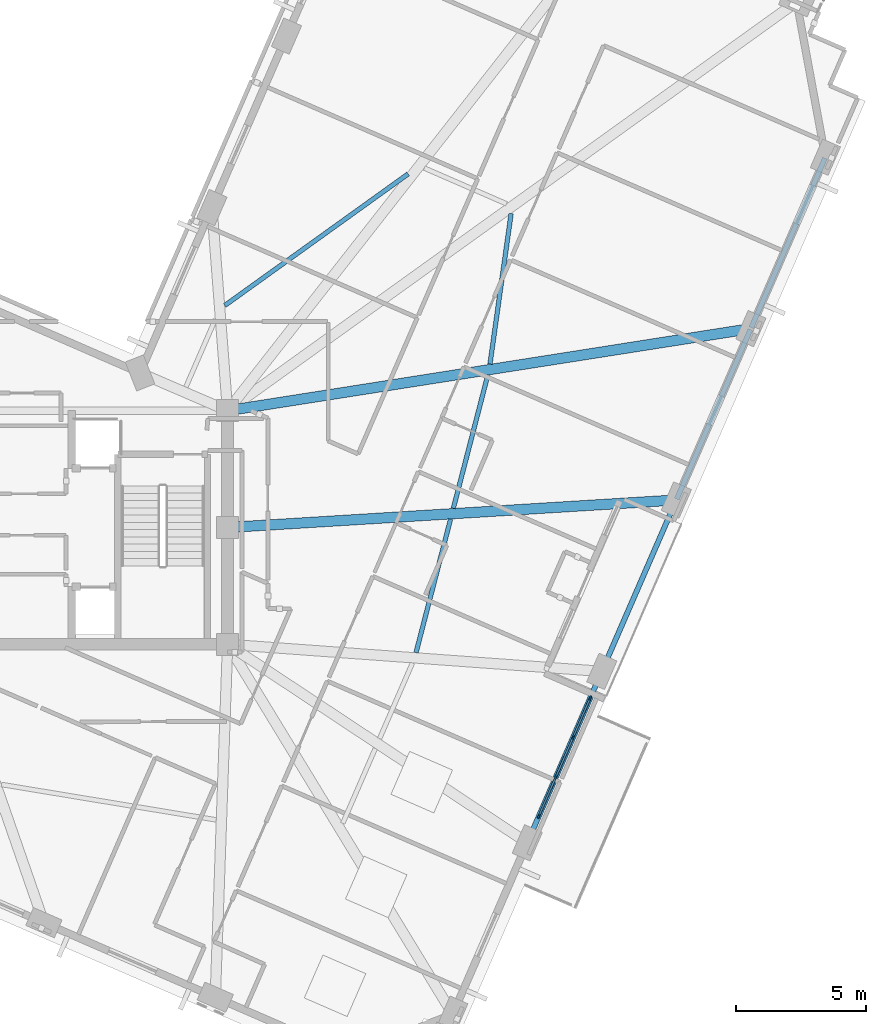
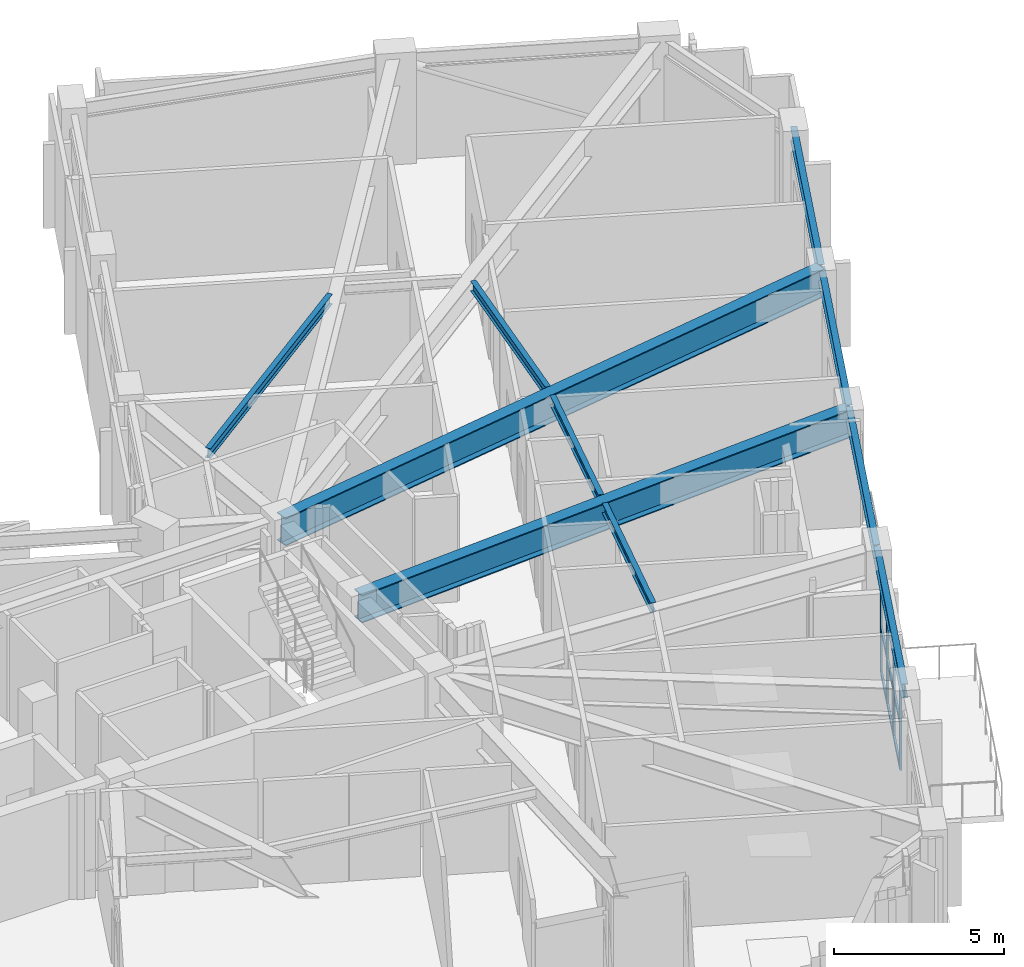
# One storey, part 2 of 12: 13 members, 10 beams, 1 element without a shape of its own.
"""IFC4 building model written with IfcOpenShell, lengths in metres."""

from ifc_helpers import new_model, si_unit, direction, frame, origin, origin_2d, place, context, subcontext, project, spatial, rectangle, i_section, extrude, material, material_profile, profile_set, type_object, element, aggregate, save


model = new_model("IFC4")

# Units and contexts
model_context = context("Model", 3, precision=1e-05, world=origin(), true_north=direction((0.0, 1.0)))
body_context = subcontext(model_context, "Body", "Model", "MODEL_VIEW")
ifc_project = project(units=[si_unit("LENGTHUNIT", "METRE"), si_unit("AREAUNIT", "SQUARE_METRE"), si_unit("VOLUMEUNIT", "CUBIC_METRE"), si_unit("PLANEANGLEUNIT", "RADIAN"), si_unit("MASSUNIT", "GRAM", prefix="KILO")], contexts=[model_context])

# Site, building, storey
site_placement = place(None, origin())
site = spatial("IfcSite", under=ifc_project, at=site_placement, CompositionType="ELEMENT")
building_placement = place(site_placement, origin())
building = spatial("IfcBuilding", under=site, at=building_placement, Name="Gaonmaruhae Medical Tower", CompositionType="ELEMENT")
storey_placement = place(building_placement, frame((0.0, 0.0, 320.60009765625)))
storey = spatial("IfcBuildingStorey", under=building, at=storey_placement, Name="L77", CompositionType="ELEMENT", Elevation=320.60009765625)

# Beams
ifc_material_1 = material(Name="Steel SM420", Category="steel")
ifc_material_profile_1 = material_profile(ifc_material_1, i_section(OverallWidth=0.39990234375, OverallDepth=1.0, WebThickness=0.02197265625, FlangeThickness=0.035888671875, at=origin_2d()), Name="BH-1000x400x22x36")
ifc_profile_set_1 = profile_set([ifc_material_profile_1], Name="Steel SM420")
beam_type_1 = type_object("IfcBeamType", Name="BG-02 Refuge Floor Primary Girder (BH-1000x400x22x36)", PredefinedType="BEAM", material=ifc_profile_set_1)
beam_1_placement = place(storey_placement, frame((35.64990234375, 12.302978515625, 3.260009765625), z_axis=(0.998125311209, 0.061203456791, 0.0), x_axis=(-0.061203456791, 0.998125311209, 0.0)))
element("IfcBeam", 1, at=beam_1_placement, inside=storey, type_object=beam_type_1, Name="L77 Radial Primary Girder S04", PredefinedType="BEAM", context=body_context, shape_type="SweptSolid", body=[
    extrude(i_section(OverallWidth=0.39990234375, OverallDepth=1.0, WebThickness=0.02197265625, FlangeThickness=0.035888671875, at=origin_2d()), origin(), (0.0, 0.0, 1.0), 17.220458984375),
])
beam_2_placement = place(storey_placement, frame((35.6494140625, 16.807861328125, 3.27978515625), z_axis=(0.987915736395, 0.15499192812, 0.0), x_axis=(-0.15499192812, 0.987915736395, 0.0)))
element("IfcBeam", 2, at=beam_2_placement, inside=storey, type_object=beam_type_1, Name="L77 Radial Primary Girder S05", PredefinedType="BEAM", context=body_context, shape_type="SweptSolid", body=[
    extrude(i_section(OverallWidth=0.39990234375, OverallDepth=1.0, WebThickness=0.02197265625, FlangeThickness=0.035888671875, at=origin_2d()), origin(), (0.0, 0.0, 1.0), 20.3056640625),
])

# Curtain wall, members
ifc_material_2 = material(Name="Anodised aluminium and Low-E double glazing", Category="aluminium")
curtain_wall_type = type_object("IfcCurtainWallType", Name="CW-S3 Spiralling Dayroom Ribbon Curtain Wall", PredefinedType="NOTDEFINED", material=ifc_material_2)
curtain_wall_placement = place(storey_placement, origin())
curtain_wall = element("IfcCurtainWall", 3, at=curtain_wall_placement, inside=storey, type_object=curtain_wall_type, Name="L77 Curtain Wall CW-L77-S02", PredefinedType="NOTDEFINED")
ifc_material_3 = material(Name="Anodised aluminium 6063-T6", Category="aluminium")
ifc_material_profile_2 = material_profile(ifc_material_3, rectangle(XDim=0.06494140625, YDim=0.179931640625, at=origin_2d()), Name="CWM-65x180")
ifc_profile_set_2 = profile_set([ifc_material_profile_2], Name="Anodised aluminium 6063-T6")
member_type_1 = type_object("IfcMemberType", Name="CWM-2 Tower Feature Curtain Wall Mullion (CWM-65x180)", PredefinedType="MULLION", material=ifc_profile_set_2)
member_1_placement = place(storey_placement, frame((49.570556640625, 5.72998046875, 0.0), z_axis=(0.0, 0.0, 1.0), x_axis=(0.917067525132, -0.398731932942, 0.0)))
member_1 = element("IfcMember", 4, at=member_1_placement, type_object=member_type_1, Name="CW-S3 mullion 1", PredefinedType="MULLION", context=body_context, shape_type="SweptSolid", body=[
    extrude(rectangle(XDim=0.06494140625, YDim=0.179931640625, at=origin_2d()), origin(), (0.0, 0.0, 1.0), 3.264892578125),
])
member_2_placement = place(storey_placement, frame((48.91552734375, 4.223876953125, 0.0), z_axis=(0.0, 0.0, 1.0), x_axis=(0.917067525132, -0.398731932942, 0.0)))
member_2 = element("IfcMember", 5, at=member_2_placement, type_object=member_type_1, Name="CW-S3 mullion 2", PredefinedType="MULLION", context=body_context, shape_type="SweptSolid", body=[
    extrude(rectangle(XDim=0.06494140625, YDim=0.179931640625, at=origin_2d()), origin(), (0.0, 0.0, 1.0), 3.264892578125),
])
member_3_placement = place(storey_placement, frame((48.24755859375, 2.687744140625, 0.0), z_axis=(0.0, 0.0, 1.0), x_axis=(0.917067525132, -0.398731932942, 0.0)))
member_3 = element("IfcMember", 6, at=member_3_placement, type_object=member_type_1, Name="CW-S3 mullion 3", PredefinedType="MULLION", context=body_context, shape_type="SweptSolid", body=[
    extrude(rectangle(XDim=0.06494140625, YDim=0.179931640625, at=origin_2d()), origin(), (0.0, 0.0, 1.0), 3.264892578125),
])
member_4_placement = place(storey_placement, frame((47.5927734375, 1.181396484375, 0.0), z_axis=(0.0, 0.0, 1.0), x_axis=(0.917067525132, -0.398731932942, 0.0)))
member_4 = element("IfcMember", 7, at=member_4_placement, type_object=member_type_1, Name="CW-S3 mullion 4", PredefinedType="MULLION", context=body_context, shape_type="SweptSolid", body=[
    extrude(rectangle(XDim=0.06494140625, YDim=0.179931640625, at=origin_2d()), origin(), (0.0, 0.0, 1.0), 3.264892578125),
])
ifc_material_profile_3 = material_profile(ifc_material_3, rectangle(XDim=0.06494140625, YDim=0.139892578125, at=origin_2d()), Name="CWT-65x140")
ifc_profile_set_3 = profile_set([ifc_material_profile_3], Name="Anodised aluminium 6063-T6")
member_type_2 = type_object("IfcMemberType", Name="CWT-2 Tower Feature Curtain Wall Transom (CWT-65x140)", PredefinedType="USERDEFINED", material=ifc_profile_set_3)
member_5_placement = place(storey_placement, frame((49.557373046875, 5.7001953125, 0.032470703125), z_axis=(-0.398714791977, -0.917074977665, 0.0), x_axis=(0.917074977665, -0.398714791977, 0.0)))
member_5 = element("IfcMember", 8, at=member_5_placement, type_object=member_type_2, Name="CW-S3 transom 1.1", ObjectType="TRANSOM", PredefinedType="USERDEFINED", context=body_context, shape_type="SweptSolid", body=[
    extrude(rectangle(XDim=0.06494140625, YDim=0.139892578125, at=origin_2d()), origin(), (0.0, 0.0, 1.0), 1.577392578125),
])
member_6_placement = place(storey_placement, frame((49.557373046875, 5.7001953125, 1.63232421875), z_axis=(-0.398714791977, -0.917074977665, 0.0), x_axis=(0.917074977665, -0.398714791977, 0.0)))
member_6 = element("IfcMember", 9, at=member_6_placement, type_object=member_type_2, Name="CW-S3 transom 1.2", ObjectType="TRANSOM", PredefinedType="USERDEFINED", context=body_context, shape_type="SweptSolid", body=[
    extrude(rectangle(XDim=0.06494140625, YDim=0.139892578125, at=origin_2d()), origin(), (0.0, 0.0, 1.0), 1.577392578125),
])
member_7_placement = place(storey_placement, frame((49.557373046875, 5.7001953125, 3.232421875), z_axis=(-0.398714791977, -0.917074977665, 0.0), x_axis=(0.917074977665, -0.398714791977, 0.0)))
member_7 = element("IfcMember", 10, at=member_7_placement, type_object=member_type_2, Name="CW-S3 transom 1.3", ObjectType="TRANSOM", PredefinedType="USERDEFINED", context=body_context, shape_type="SweptSolid", body=[
    extrude(rectangle(XDim=0.06494140625, YDim=0.139892578125, at=origin_2d()), origin(), (0.0, 0.0, 1.0), 1.577392578125),
])
member_8_placement = place(storey_placement, frame((48.902587890625, 4.194091796875, 0.032470703125), z_axis=(-0.398654028301, -0.917101393369, 0.0), x_axis=(0.917101393369, -0.398654028301, 0.0)))
member_8 = element("IfcMember", 11, at=member_8_placement, type_object=member_type_2, Name="CW-S3 transom 2.1", ObjectType="TRANSOM", PredefinedType="USERDEFINED", context=body_context, shape_type="SweptSolid", body=[
    extrude(rectangle(XDim=0.06494140625, YDim=0.139892578125, at=origin_2d()), origin(), (0.0, 0.0, 1.0), 1.610107421875),
])
member_9_placement = place(storey_placement, frame((48.902587890625, 4.194091796875, 1.63232421875), z_axis=(-0.398654028301, -0.917101393369, 0.0), x_axis=(0.917101393369, -0.398654028301, 0.0)))
member_9 = element("IfcMember", 12, at=member_9_placement, type_object=member_type_2, Name="CW-S3 transom 2.2", ObjectType="TRANSOM", PredefinedType="USERDEFINED", context=body_context, shape_type="SweptSolid", body=[
    extrude(rectangle(XDim=0.06494140625, YDim=0.139892578125, at=origin_2d()), origin(), (0.0, 0.0, 1.0), 1.610107421875),
])
member_10_placement = place(storey_placement, frame((48.902587890625, 4.194091796875, 3.232421875), z_axis=(-0.398654028301, -0.917101393369, 0.0), x_axis=(0.917101393369, -0.398654028301, 0.0)))
member_10 = element("IfcMember", 13, at=member_10_placement, type_object=member_type_2, Name="CW-S3 transom 2.3", ObjectType="TRANSOM", PredefinedType="USERDEFINED", context=body_context, shape_type="SweptSolid", body=[
    extrude(rectangle(XDim=0.06494140625, YDim=0.139892578125, at=origin_2d()), origin(), (0.0, 0.0, 1.0), 1.610107421875),
])
member_11_placement = place(storey_placement, frame((48.234619140625, 2.657958984375, 0.032470703125), z_axis=(-0.398714791977, -0.917074977665, 0.0), x_axis=(0.917074977665, -0.398714791977, 0.0)))
member_11 = element("IfcMember", 14, at=member_11_placement, type_object=member_type_2, Name="CW-S3 transom 3.1", ObjectType="TRANSOM", PredefinedType="USERDEFINED", context=body_context, shape_type="SweptSolid", body=[
    extrude(rectangle(XDim=0.06494140625, YDim=0.139892578125, at=origin_2d()), origin(), (0.0, 0.0, 1.0), 1.577392578125),
])
member_12_placement = place(storey_placement, frame((48.234619140625, 2.657958984375, 1.63232421875), z_axis=(-0.398714791977, -0.917074977665, 0.0), x_axis=(0.917074977665, -0.398714791977, 0.0)))
member_12 = element("IfcMember", 15, at=member_12_placement, type_object=member_type_2, Name="CW-S3 transom 3.2", ObjectType="TRANSOM", PredefinedType="USERDEFINED", context=body_context, shape_type="SweptSolid", body=[
    extrude(rectangle(XDim=0.06494140625, YDim=0.139892578125, at=origin_2d()), origin(), (0.0, 0.0, 1.0), 1.577392578125),
])
member_13_placement = place(storey_placement, frame((48.234619140625, 2.657958984375, 3.232421875), z_axis=(-0.398714791977, -0.917074977665, 0.0), x_axis=(0.917074977665, -0.398714791977, 0.0)))
member_13 = element("IfcMember", 16, at=member_13_placement, type_object=member_type_2, Name="CW-S3 transom 3.3", ObjectType="TRANSOM", PredefinedType="USERDEFINED", context=body_context, shape_type="SweptSolid", body=[
    extrude(rectangle(XDim=0.06494140625, YDim=0.139892578125, at=origin_2d()), origin(), (0.0, 0.0, 1.0), 1.577392578125),
])
aggregate(curtain_wall, [member_1, member_2, member_3, member_4, member_5, member_6, member_7, member_8, member_9, member_10, member_11, member_12, member_13])

# Beams
ifc_material_4 = material(Name="Steel SM355", Category="steel")
ifc_material_profile_4 = material_profile(ifc_material_4, i_section(OverallWidth=0.175048828125, OverallDepth=0.35009765625, WebThickness=0.007080078125, FlangeThickness=0.010986328125, FilletRadius=0.012939453125, at=origin_2d()), Name="H-350x175x7x11")
ifc_profile_set_4 = profile_set([ifc_material_profile_4], Name="Steel SM355")
beam_type_2 = type_object("IfcBeamType", Name="FJ-02 Upper Zone Ward Floor Joist (H-350x175x7x11)", PredefinedType="JOIST", material=ifc_profile_set_4)
beam_3_placement = place(storey_placement, frame((42.86083984375, 7.481201171875, 3.60498046875), z_axis=(0.250373159945, 0.968149410359, 0.0), x_axis=(-0.968149410359, 0.250373159945, 0.0)))
element("IfcBeam", 17, at=beam_3_placement, inside=storey, type_object=beam_type_2, Name="L77 Secondary Floor Joist FJ03", PredefinedType="JOIST", context=body_context, shape_type="SweptSolid", body=[
    extrude(i_section(OverallWidth=0.175048828125, OverallDepth=0.35009765625, WebThickness=0.007080078125, FlangeThickness=0.010986328125, FilletRadius=0.012939453125, at=origin_2d()), origin(), (0.0, 0.0, 1.0), 5.30859375),
])
beam_4_placement = place(storey_placement, frame((44.298095703125, 13.03955078125, 3.60498046875), z_axis=(0.25037313325, 0.968149417263, 0.0), x_axis=(-0.968149417263, 0.25037313325, 0.0)))
element("IfcBeam", 18, at=beam_4_placement, inside=storey, type_object=beam_type_2, Name="L77 Secondary Floor Joist FJ04", PredefinedType="JOIST", context=body_context, shape_type="SweptSolid", body=[
    extrude(i_section(OverallWidth=0.175048828125, OverallDepth=0.35009765625, WebThickness=0.007080078125, FlangeThickness=0.010986328125, FilletRadius=0.012939453125, at=origin_2d()), origin(), (0.0, 0.0, 1.0), 5.2939453125),
])
beam_5_placement = place(storey_placement, frame((45.70947265625, 18.594482421875, 3.60498046875), z_axis=(0.138970704931, 0.990296492557, 0.0), x_axis=(-0.990296492557, 0.138970704931, 0.0)))
element("IfcBeam", 19, at=beam_5_placement, inside=storey, type_object=beam_type_2, Name="L77 Secondary Floor Joist FJ05", PredefinedType="JOIST", context=body_context, shape_type="SweptSolid", body=[
    extrude(i_section(OverallWidth=0.175048828125, OverallDepth=0.35009765625, WebThickness=0.007080078125, FlangeThickness=0.010986328125, FilletRadius=0.012939453125, at=origin_2d()), origin(), (0.0, 0.0, 1.0), 5.85888671875),
])
beam_6_placement = place(storey_placement, frame((42.553955078125, 25.921142578125, 3.60498046875), z_axis=(-0.812434971378, -0.583051813548, 0.0), x_axis=(0.583051813548, -0.812434971378, 0.0)))
element("IfcBeam", 20, at=beam_6_placement, inside=storey, type_object=beam_type_2, Name="L77 Secondary Floor Joist FJ07", PredefinedType="JOIST", context=body_context, shape_type="SweptSolid", body=[
    extrude(i_section(OverallWidth=0.175048828125, OverallDepth=0.35009765625, WebThickness=0.007080078125, FlangeThickness=0.010986328125, FilletRadius=0.012939453125, at=origin_2d()), origin(), (0.0, 0.0, 1.0), 8.690185546875),
])
ifc_material_profile_5 = material_profile(ifc_material_4, i_section(OverallWidth=0.199951171875, OverallDepth=0.5, WebThickness=0.010009765625, FlangeThickness=0.01611328125, FilletRadius=0.012939453125, at=origin_2d()), Name="H-500x200x10x16")
ifc_profile_set_5 = profile_set([ifc_material_profile_5], Name="Steel SM355")
beam_type_3 = type_object("IfcBeamType", Name="SP-02 Upper Perimeter Spandrel Beam (H-500x200x10x16)", PredefinedType="SPANDREL", material=ifc_profile_set_5)
beam_7_placement = place(storey_placement, frame((47.162109375, 0.191162109375, 3.52978515625), z_axis=(0.398759965154, 0.917055336493, 0.0), x_axis=(-0.917055336493, 0.398759965154, 0.0)))
element("IfcBeam", 21, at=beam_7_placement, inside=storey, type_object=beam_type_3, Name="L77 Perimeter Spandrel Beam S02-S03", PredefinedType="SPANDREL", context=body_context, shape_type="SweptSolid", body=[
    extrude(i_section(OverallWidth=0.199951171875, OverallDepth=0.5, WebThickness=0.010009765625, FlangeThickness=0.01611328125, FilletRadius=0.012939453125, at=origin_2d()), origin(), (0.0, 0.0, 1.0), 7.119873046875),
])
for number, where, z_axis, x_axis, name in (
    (22, (50.032958984375, 6.7939453125, 3.510009765625), (0.398747426125, 0.917060788693, 0.0), (-0.917060788693, 0.398747426125, 0.0), "L77 Perimeter Spandrel Beam S03-S04"),
    (23, (52.904052734375, 13.396728515625, 3.510009765625), (0.398747426125, 0.917060788693, 0.0), (-0.917060788693, 0.398747426125, 0.0), "L77 Perimeter Spandrel Beam S04-S05"),
):
    element("IfcBeam", number, at=place(storey_placement, frame(where, z_axis=z_axis, x_axis=x_axis)), inside=storey, type_object=beam_type_3, Name=name, PredefinedType="SPANDREL", context=body_context, shape_type="SweptSolid", body=[
        extrude(i_section(OverallWidth=0.199951171875, OverallDepth=0.5, WebThickness=0.010009765625, FlangeThickness=0.01611328125, FilletRadius=0.012939453125, at=origin_2d()), origin(), (0.0, 0.0, 1.0), 7.1201171875),
    ])
beam_8_placement = place(storey_placement, frame((55.775146484375, 19.99951171875, 3.52978515625), z_axis=(0.398718588421, 0.917073327083, 0.0), x_axis=(-0.917073327083, 0.398718588421, 0.0)))
element("IfcBeam", 24, at=beam_8_placement, inside=storey, type_object=beam_type_3, Name="L77 Perimeter Spandrel Beam S05-S06", PredefinedType="SPANDREL", context=body_context, shape_type="SweptSolid", body=[
    extrude(i_section(OverallWidth=0.199951171875, OverallDepth=0.5, WebThickness=0.010009765625, FlangeThickness=0.01611328125, FilletRadius=0.012939453125, at=origin_2d()), origin(), (0.0, 0.0, 1.0), 7.119873046875),
])

save(model, "model.ifc")
